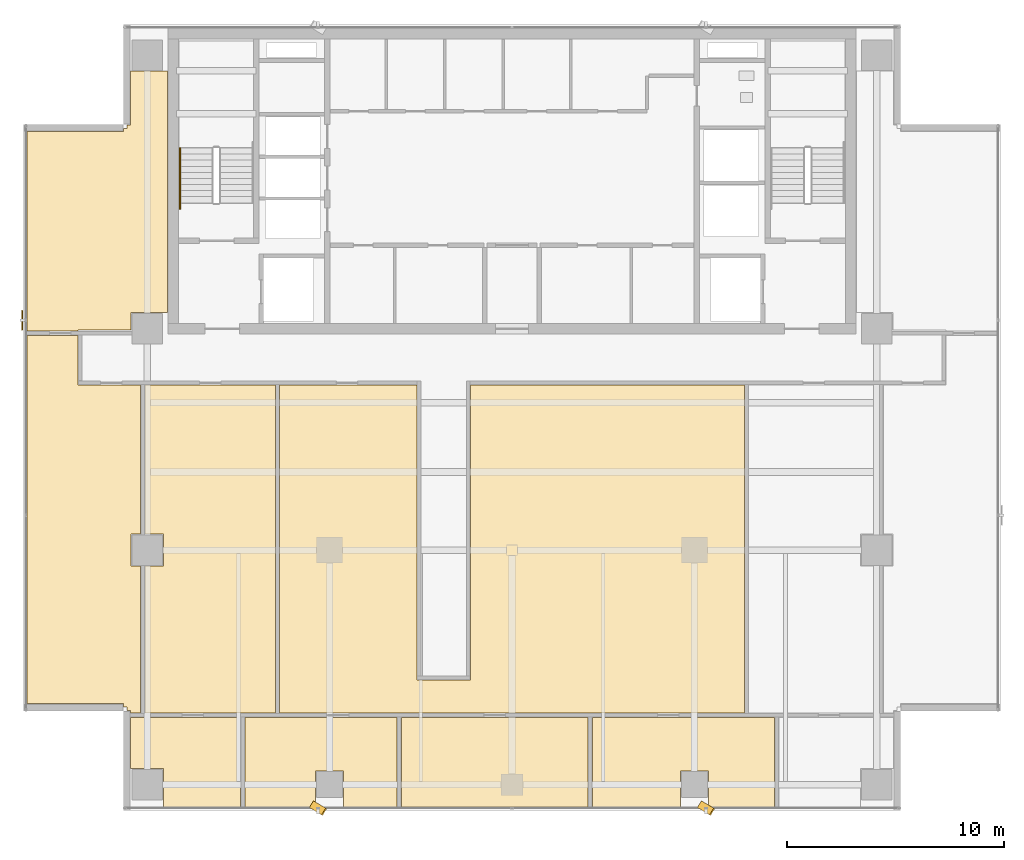
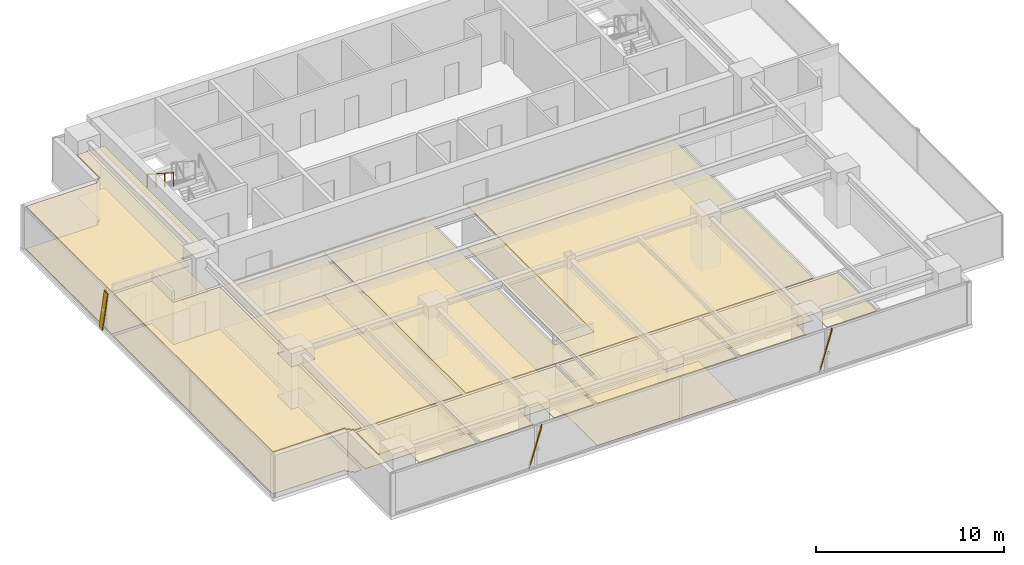
# One storey, part 23 of 27: 13 coverings, 3 shading devices, 1 railing.
"""IFC4 building model written with IfcOpenShell, lengths in metres."""

from ifc_helpers import new_model, si_unit, direction, frame, origin, origin_2d, place, context, subcontext, project, spatial, polyline, rectangle, outline, extrude, source, transform, mapped, material, layer, layer_set, material_profile, profile_set, type_object, element, save


model = new_model("IFC4")

# Units and contexts
model_context = context("Model", 3, precision=1e-05, world=origin(), true_north=direction((0.0, 1.0)))
body_context = subcontext(model_context, "Body", "Model", "MODEL_VIEW")
ifc_project = project(units=[si_unit("LENGTHUNIT", "METRE"), si_unit("AREAUNIT", "SQUARE_METRE"), si_unit("VOLUMEUNIT", "CUBIC_METRE"), si_unit("PLANEANGLEUNIT", "RADIAN"), si_unit("MASSUNIT", "GRAM", prefix="KILO")], contexts=[model_context])

# Site, building, storey
site_placement = place(None, origin())
site = spatial("IfcSite", under=ifc_project, at=site_placement, CompositionType="ELEMENT")
building_placement = place(site_placement, origin())
building = spatial("IfcBuilding", under=site, at=building_placement, Name="Sumidabori Civic Tower", CompositionType="ELEMENT")
storey_placement = place(building_placement, frame((0.0, 0.0, 257.60009765625)))
storey = spatial("IfcBuildingStorey", under=building, at=storey_placement, Name="L67", CompositionType="ELEMENT", Elevation=257.60009765625)

# Coverings
ifc_material_1 = material(Name="Gypsum Coffered Acoustic Ceiling")
ifc_layer_1 = layer(ifc_material_1, 0.06494140625, Name="Gypsum Coffered Acoustic Ceiling")
ifc_layer_set_1 = layer_set([ifc_layer_1], Name="Gypsum Coffered Acoustic Ceiling")
covering_type_1 = type_object("IfcCoveringType", Name="CV-CEIL-AC4", PredefinedType="CEILING", material=ifc_layer_set_1)
covering_1_placement = place(storey_placement, frame((0.0, 0.0, 2.719970703125)))
element("IfcCovering", 1, at=covering_1_placement, inside=storey, type_object=covering_type_1, Name="Room Acoustic Ceiling L67-01", PredefinedType="CEILING", context=body_context, shape_type="SweptSolid", body=[
    extrude(outline(polyline([(-22.330078125, 10.1025390625), (-22.330078125, 19.27197265625), (-17.89208984375, 19.27197265625), (-17.89208984375, 19.429931640625), (-17.72998046875, 19.429931640625), (-17.72998046875, 19.592041015625), (-17.572021484375, 19.592041015625), (-17.572021484375, 22.06005859375), (-15.8779296875, 22.06005859375), (-15.8779296875, 10.93994140625), (-17.5400390625, 10.93994140625), (-17.5400390625, 10.135009765625), (-19.985107421875, 10.135009765625), (-19.985107421875, 10.1025390625), (-22.330078125, 10.1025390625)])), origin(), (0.0, 0.0, 1.0), 0.06494140625),
])
covering_2_placement = place(storey_placement, frame((0.0, 0.0, 2.719970703125)))
element("IfcCovering", 2, at=covering_2_placement, inside=storey, type_object=covering_type_1, Name="Room Acoustic Ceiling L67-03", PredefinedType="CEILING", context=body_context, shape_type="SweptSolid", body=[
    extrude(outline(polyline([(-19.985107421875, 7.614990234375), (-17.1025390625, 7.614990234375), (-17.1025390625, 0.739990234375), (-17.5400390625, 0.739990234375), (-17.5400390625, -0.739990234375), (-17.1025390625, -0.739990234375), (-17.1025390625, -7.49755859375), (-17.572021484375, -7.49755859375), (-17.572021484375, -7.39208984375), (-17.72998046875, -7.39208984375), (-17.72998046875, -7.22998046875), (-17.89208984375, -7.22998046875), (-17.89208984375, -7.072021484375), (-22.330078125, -7.072021484375), (-22.330078125, 9.8974609375), (-19.985107421875, 9.8974609375), (-19.985107421875, 7.614990234375)])), origin(), (0.0, 0.0, 1.0), 0.06494140625),
])
covering_3_placement = place(storey_placement, frame((0.0, 0.0, 2.719970703125)))
element("IfcCovering", 3, at=covering_3_placement, inside=storey, type_object=covering_type_1, Name="Room Acoustic Ceiling L67-05", PredefinedType="CEILING", context=body_context, shape_type="SweptSolid", body=[
    extrude(outline(polyline([(-16.8974609375, -0.739990234375), (-16.06005859375, -0.739990234375), (-16.06005859375, 0.739990234375), (-16.8974609375, 0.739990234375), (-16.8974609375, 7.614990234375), (-10.902587890625, 7.614990234375), (-10.902587890625, -7.49755859375), (-16.8974609375, -7.49755859375), (-16.8974609375, -0.739990234375)])), origin(), (0.0, 0.0, 1.0), 0.06494140625),
])
covering_4_placement = place(storey_placement, frame((0.0, 0.0, 2.719970703125)))
element("IfcCovering", 4, at=covering_4_placement, inside=storey, type_object=covering_type_1, Name="Room Acoustic Ceiling L67-07", PredefinedType="CEILING", context=body_context, shape_type="SweptSolid", body=[
    extrude(outline(polyline([(-10.697509765625, 7.614990234375), (-4.385009765625, 7.614990234375), (-4.385009765625, -5.985107421875), (-1.9150390625, -5.985107421875), (-1.9150390625, 7.614990234375), (10.697509765625, 7.614990234375), (10.697509765625, -7.49755859375), (-10.697509765625, -7.49755859375), (-10.697509765625, 7.614990234375)])), origin(), (0.0, 0.0, 1.0), 0.06494140625),
])
covering_5_placement = place(storey_placement, frame((0.0, 0.0, 2.719970703125)))
element("IfcCovering", 5, at=covering_5_placement, inside=storey, type_object=covering_type_1, Name="Room Acoustic Ceiling L67-08", PredefinedType="CEILING", context=body_context, shape_type="SweptSolid", body=[
    extrude(outline(polyline([(-12.50244140625, -11.830078125), (-16.06005859375, -11.830078125), (-16.06005859375, -10.06005859375), (-17.572021484375, -10.06005859375), (-17.572021484375, -7.702392578125), (-12.50244140625, -7.702392578125), (-12.50244140625, -11.830078125)])), origin(), (0.0, 0.0, 1.0), 0.06494140625),
])
covering_6_placement = place(storey_placement, frame((0.0, 0.0, 2.719970703125)))
element("IfcCovering", 6, at=covering_6_placement, inside=storey, type_object=covering_type_1, Name="Room Acoustic Ceiling L67-10", PredefinedType="CEILING", context=body_context, shape_type="SweptSolid", body=[
    extrude(outline(polyline([(-5.302490234375, -11.830078125), (-7.760009765625, -11.830078125), (-7.760009765625, -10.159912109375), (-9.0400390625, -10.159912109375), (-9.0400390625, -11.830078125), (-12.297607421875, -11.830078125), (-12.297607421875, -7.702392578125), (-5.302490234375, -7.702392578125), (-5.302490234375, -11.830078125)])), origin(), (0.0, 0.0, 1.0), 0.06494140625),
])
covering_7_placement = place(storey_placement, frame((0.0, 0.0, 2.719970703125)))
element("IfcCovering", 7, at=covering_7_placement, inside=storey, type_object=covering_type_1, Name="Room Acoustic Ceiling L67-11", PredefinedType="CEILING", context=body_context, shape_type="SweptSolid", body=[
    extrude(outline(polyline([(3.49755859375, -11.830078125), (-5.097412109375, -11.830078125), (-5.097412109375, -7.702392578125), (3.49755859375, -7.702392578125), (3.49755859375, -11.830078125)])), origin(), (0.0, 0.0, 1.0), 0.06494140625),
])
covering_8_placement = place(storey_placement, frame((0.0, 0.0, 2.719970703125)))
element("IfcCovering", 8, at=covering_8_placement, inside=storey, type_object=covering_type_1, Name="Room Acoustic Ceiling L67-12", PredefinedType="CEILING", context=body_context, shape_type="SweptSolid", body=[
    extrude(outline(polyline([(12.097412109375, -11.830078125), (9.0400390625, -11.830078125), (9.0400390625, -10.159912109375), (7.760009765625, -10.159912109375), (7.760009765625, -11.830078125), (3.702392578125, -11.830078125), (3.702392578125, -7.702392578125), (12.097412109375, -7.702392578125), (12.097412109375, -11.830078125)])), origin(), (0.0, 0.0, 1.0), 0.06494140625),
])
ifc_material_2 = material(Name="Honed Terrazzo Tile Flooring")
ifc_layer_2 = layer(ifc_material_2, 0.030029296875, Name="Honed Terrazzo Tile Flooring")
ifc_layer_set_2 = layer_set([ifc_layer_2], Name="Honed Terrazzo Tile Flooring")
covering_type_2 = type_object("IfcCoveringType", Name="CV-FLR-TER", PredefinedType="FLOORING", material=ifc_layer_set_2)
covering_9_placement = place(storey_placement, origin())
element("IfcCovering", 9, at=covering_9_placement, inside=storey, type_object=covering_type_2, Name="Room Terrazzo Floor L67-01", PredefinedType="FLOORING", context=body_context, shape_type="SweptSolid", body=[
    extrude(outline(polyline([(-22.330078125, 10.1025390625), (-22.330078125, 19.27197265625), (-17.89208984375, 19.27197265625), (-17.89208984375, 19.429931640625), (-17.72998046875, 19.429931640625), (-17.72998046875, 19.592041015625), (-17.572021484375, 19.592041015625), (-17.572021484375, 22.06005859375), (-15.8779296875, 22.06005859375), (-15.8779296875, 10.93994140625), (-17.5400390625, 10.93994140625), (-17.5400390625, 10.135009765625), (-19.985107421875, 10.135009765625), (-19.985107421875, 10.1025390625), (-22.330078125, 10.1025390625)])), origin(), (0.0, 0.0, 1.0), 0.02978515625),
])
covering_10_placement = place(storey_placement, origin())
element("IfcCovering", 10, at=covering_10_placement, inside=storey, type_object=covering_type_2, Name="Room Terrazzo Floor L67-03", PredefinedType="FLOORING", context=body_context, shape_type="SweptSolid", body=[
    extrude(outline(polyline([(-19.985107421875, 7.614990234375), (-17.1025390625, 7.614990234375), (-17.1025390625, 0.739990234375), (-17.5400390625, 0.739990234375), (-17.5400390625, -0.739990234375), (-17.1025390625, -0.739990234375), (-17.1025390625, -7.49755859375), (-17.572021484375, -7.49755859375), (-17.572021484375, -7.39208984375), (-17.72998046875, -7.39208984375), (-17.72998046875, -7.22998046875), (-17.89208984375, -7.22998046875), (-17.89208984375, -7.072021484375), (-22.330078125, -7.072021484375), (-22.330078125, 9.8974609375), (-19.985107421875, 9.8974609375), (-19.985107421875, 7.614990234375)])), origin(), (0.0, 0.0, 1.0), 0.02978515625),
])
covering_11_placement = place(storey_placement, origin())
element("IfcCovering", 11, at=covering_11_placement, inside=storey, type_object=covering_type_2, Name="Room Terrazzo Floor L67-05", PredefinedType="FLOORING", context=body_context, shape_type="SweptSolid", body=[
    extrude(outline(polyline([(-16.8974609375, -0.739990234375), (-16.06005859375, -0.739990234375), (-16.06005859375, 0.739990234375), (-16.8974609375, 0.739990234375), (-16.8974609375, 7.614990234375), (-10.902587890625, 7.614990234375), (-10.902587890625, -7.49755859375), (-16.8974609375, -7.49755859375), (-16.8974609375, -0.739990234375)])), origin(), (0.0, 0.0, 1.0), 0.02978515625),
])
covering_12_placement = place(storey_placement, origin())
element("IfcCovering", 12, at=covering_12_placement, inside=storey, type_object=covering_type_2, Name="Room Terrazzo Floor L67-07", PredefinedType="FLOORING", context=body_context, shape_type="SweptSolid", body=[
    extrude(outline(polyline([(-10.697509765625, 7.614990234375), (-4.385009765625, 7.614990234375), (-4.385009765625, -5.985107421875), (-1.9150390625, -5.985107421875), (-1.9150390625, 7.614990234375), (10.697509765625, 7.614990234375), (10.697509765625, -7.49755859375), (-10.697509765625, -7.49755859375), (-10.697509765625, 7.614990234375)])), origin(), (0.0, 0.0, 1.0), 0.02978515625),
])
covering_13_placement = place(storey_placement, origin())
element("IfcCovering", 13, at=covering_13_placement, inside=storey, type_object=covering_type_2, Name="Room Terrazzo Floor L67-11", PredefinedType="FLOORING", context=body_context, shape_type="SweptSolid", body=[
    extrude(outline(polyline([(3.49755859375, -11.830078125), (-5.097412109375, -11.830078125), (-5.097412109375, -7.702392578125), (3.49755859375, -7.702392578125), (3.49755859375, -11.830078125)])), origin(), (0.0, 0.0, 1.0), 0.02978515625),
])

# Railing
ifc_material_3 = material(Name="Stainless Steel Hairline Finish", Category="steel")
railing_type = type_object("IfcRailingType", Name="RL-HANDRAIL", PredefinedType="HANDRAIL", material=ifc_material_3)
railing_placement = place(storey_placement, frame((-15.2900390625, 18.52001953125, 1.97998046875)))
element("IfcRailing", 14, at=railing_placement, inside=storey, type_object=railing_type, Name="L67 ST-1 stair handrail 2", PredefinedType="HANDRAIL", context=body_context, shape_type="SweptSolid", body=[
    extrude(rectangle(XDim=0.048095703125, YDim=0.048095703125, at=origin_2d()), frame((0.0, 0.0, 0.8759765625), z_axis=(0.0, -0.840675598268, 0.541539046124), x_axis=(1.0, 0.0, 0.0)), (0.0, 0.0, 1.0), 3.330810546875),
    extrude(rectangle(XDim=0.0419921875, YDim=0.0419921875, at=origin_2d()), origin(), (0.0, 0.0, 1.0), 0.851806640625),
    extrude(rectangle(XDim=0.0419921875, YDim=0.0419921875, at=origin_2d()), frame((0.0, -0.933349609375, 0.601318359375)), (0.0, 0.0, 1.0), 0.851806640625),
    extrude(rectangle(XDim=0.0419921875, YDim=0.0419921875, at=origin_2d()), frame((0.0, -1.86669921875, 1.202392578125)), (0.0, 0.0, 1.0), 0.851806640625),
    extrude(rectangle(XDim=0.0419921875, YDim=0.0419921875, at=origin_2d()), frame((0.0, -2.800048828125, 1.8037109375)), (0.0, 0.0, 1.0), 0.851806640625),
])

# Shading devices
ifc_material_4 = material(Name="Anodised Bronze Aluminium AW-6063-T6", Category="aluminium")
ifc_material_profile = material_profile(ifc_material_4, rectangle(XDim=0.054931640625, YDim=0.360107421875, at=origin_2d()), Name="BRONZE FIN 360x55")
ifc_profile_set = profile_set([ifc_material_profile], Name="Anodised Bronze Aluminium AW-6063-T6")
shading_device_type = type_object("IfcShadingDeviceType", Name="SH-FIN-360", PredefinedType="USERDEFINED", material=ifc_profile_set)
shared_shape_1 = source(origin(), body_context, "Body", "SweptSolid", [
    extrude(rectangle(XDim=0.054931640625, YDim=0.360107421875, at=origin_2d()), origin(), (0.0, 0.0, 1.0), 2.7685546875),
])
for number, where, z_axis, x_axis, name in (
    (15, (-9.215087890625, -11.7099609375, 0.02001953125), (0.202289930374, -0.122837782481, 0.971591304646), (0.830469701518, -0.504291322674, -0.236665030656), "Bronze Anodised Diagonal Fin L67-01"),
    (16, (8.655029296875, -11.7099609375, 0.02001953125), (0.202289930374, -0.122837782481, 0.971591304646), (0.830469701518, -0.504291322674, -0.236665030656), "Bronze Anodised Diagonal Fin L67-03"),
):
    element("IfcShadingDevice", number, at=place(storey_placement, frame(where, z_axis=z_axis, x_axis=x_axis)), inside=storey, type_object=shading_device_type, Name=name, ObjectType="FIN", PredefinedType="USERDEFINED", context=body_context, shape_type="MappedRepresentation", body=[
        mapped(shared_shape_1, transform((0.0, 0.0, 0.0), x_axis=(1.0, 0.0, 0.0), y_axis=(0.0, 1.0, 0.0), z_axis=(0.0, 0.0, 1.0), scale=1.0)),
    ])
shared_shape_2 = source(origin(), body_context, "Body", "SweptSolid", [
    extrude(rectangle(XDim=0.054931640625, YDim=0.360107421875, at=origin_2d()), origin(), (0.0, 0.0, 1.0), 2.74755859375),
])
shading_device_placement = place(storey_placement, frame((-22.550048828125, 10.8701171875, 0.02001953125), z_axis=(0.0, -0.20383361069, 0.979005546028), x_axis=(-1.0, 0.0, 0.0)))
element("IfcShadingDevice", 17, at=shading_device_placement, inside=storey, type_object=shading_device_type, Name="Bronze Anodised Diagonal Fin L67-01", ObjectType="FIN", PredefinedType="USERDEFINED", context=body_context, shape_type="MappedRepresentation", body=[
    mapped(shared_shape_2, transform((0.0, 0.0, 0.0), x_axis=(1.0, 0.0, 0.0), y_axis=(0.0, 1.0, 0.0), z_axis=(0.0, 0.0, 1.0), scale=1.0)),
])

save(model, "model.ifc")
